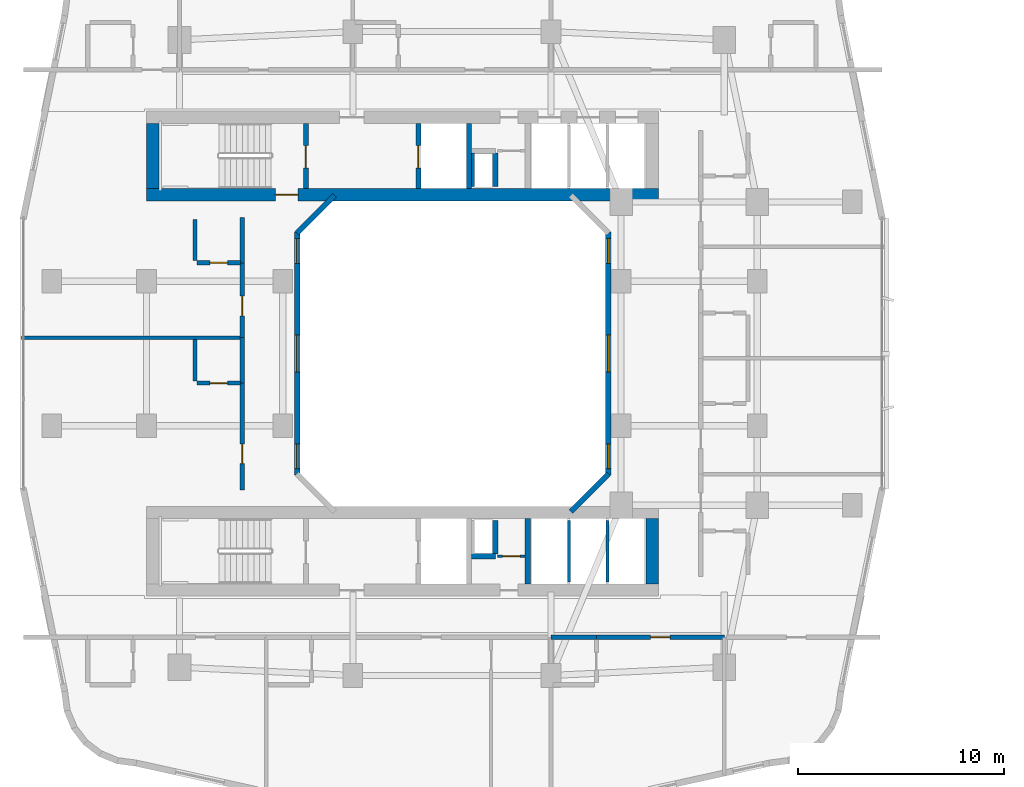
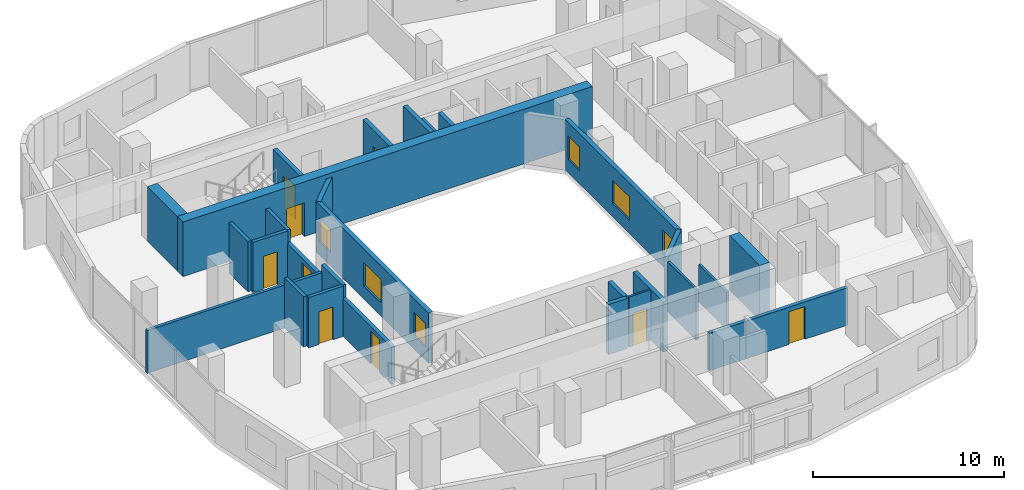
# One storey, part 14 of 27: 29 walls, 9 doors, 6 windows, 15 openings.
"""IFC4 building model written with IfcOpenShell, lengths in metres."""

from ifc_helpers import new_model, si_unit, derived_unit, direction, frame, frame_2d, origin, place, context, subcontext, project, spatial, rectangle, extrude, material, layer, layer_set, type_object, element, fill, save


model = new_model("IFC4")

# Units and contexts
model_context = context("Model", 3, precision=1e-05, world=origin(), true_north=direction((0.0, 1.0)))
body_context = subcontext(model_context, "Body", "Model", "MODEL_VIEW")
ifc_project = project(units=[si_unit("LENGTHUNIT", "METRE"), si_unit("AREAUNIT", "SQUARE_METRE"), si_unit("VOLUMEUNIT", "CUBIC_METRE"), si_unit("PLANEANGLEUNIT", "RADIAN"), si_unit("MASSUNIT", "GRAM", prefix="KILO"), derived_unit("THERMALTRANSMITTANCEUNIT", [(si_unit("POWERUNIT", "WATT"), 1), (si_unit("LENGTHUNIT", "METRE"), -2), (si_unit("THERMODYNAMICTEMPERATUREUNIT", "KELVIN"), -1)])], contexts=[model_context])

# Site, building, storey
site_placement = place(None, origin())
site = spatial("IfcSite", under=ifc_project, at=site_placement, CompositionType="ELEMENT")
building_placement = place(site_placement, origin())
building = spatial("IfcBuilding", under=site, at=building_placement, Name="Kivonza Crest Hotel", CompositionType="ELEMENT")
storey_placement = place(building_placement, frame((0.0, 0.0, 38.0)))
storey = spatial("IfcBuildingStorey", under=building, at=storey_placement, Name="L09", CompositionType="ELEMENT", Elevation=38.0)

# Walls
ifc_material_1 = material(Name="High-density acoustic masonry inter-tenancy wall", Category="masonry")
ifc_layer_1 = layer(ifc_material_1, 0.179931640625)
ifc_layer_set_1 = layer_set([ifc_layer_1], Name="High-density acoustic masonry inter-tenancy wall")
wall_type_1 = type_object("IfcWallType", Name="WL-ACOU-180", PredefinedType="SOLIDWALL", material=ifc_layer_set_1)
wall_1_placement = place(storey_placement, frame((0.139892578125, 25.77001953125, 0.0), z_axis=(0.0, 0.0, 1.0), x_axis=(1.0, 0.0, 0.0)))
element("IfcWall", 1, at=wall_1_placement, inside=storey, type_object=wall_type_1, Name="L09 interior partition WA-L09-T1W-DIV1", PredefinedType="SOLIDWALL", context=body_context, shape_type="SweptSolid", body=[
    extrude(rectangle(XDim=10.710205078125, YDim=0.179931640625, at=frame_2d((5.35498046875, 0.0))), origin(), (0.0, 0.0, 1.0), 2.7451171875),
])
ifc_material_2 = material(Name="Autoclaved aerated concrete blockwork", Category="masonry")
ifc_layer_2 = layer(ifc_material_2, 0.219970703125)
ifc_layer_set_2 = layer_set([ifc_layer_2], Name="Autoclaved aerated concrete blockwork")
wall_type_2 = type_object("IfcWallType", Name="WL-ACOU-220", PredefinedType="SOLIDWALL", material=ifc_layer_set_2)
wall_2_placement = place(storey_placement, frame((25.800048828125, 11.25, 0.0), z_axis=(0.0, 0.0, 1.0), x_axis=(1.0, 0.0, 0.0)))
element("IfcWall", 2, at=wall_2_placement, inside=storey, type_object=wall_type_2, Name="L09 interior partition WA-L09-S06-BCORR", PredefinedType="SOLIDWALL", context=body_context, shape_type="SweptSolid", body=[
    extrude(rectangle(XDim=2.199951171875, YDim=0.219970703125, at=frame_2d((1.10009765625, 0.0))), origin(), (0.0, 0.0, 1.0), 2.39501953125),
])

# Wall, opening, door
wall_3_placement = place(storey_placement, frame((28.0, 11.25, 0.0), z_axis=(0.0, 0.0, 1.0), x_axis=(1.0, 0.0, 0.0)))
wall_3 = element("IfcWall", 3, at=wall_3_placement, inside=storey, type_object=wall_type_2, Name="L09 interior partition WA-L09-S06-MCORR", PredefinedType="SOLIDWALL", context=body_context, shape_type="SweptSolid", body=[
    extrude(rectangle(XDim=6.199951171875, YDim=0.219970703125, at=frame_2d((3.10009765625, 0.0))), origin(), (0.0, 0.0, 1.0), 2.39501953125),
])
opening_1_placement = place(wall_3_placement, frame((2.625, 0.0, 0.0)))
opening_1 = element("IfcOpeningElement", 4, at=opening_1_placement, cuts=wall_3, Name="Opening DU-60", PredefinedType="OPENING", context=body_context, shape_type="SweptSolid", body=[
    extrude(rectangle(XDim=0.949951171875, YDim=2.10009765625, at=frame_2d((0.47509765625, 1.050048828125))), frame((0.0, 0.1201171875, 0.0), z_axis=(0.0, -1.0, 0.0), x_axis=(1.0, 0.0, 0.0)), (0.0, 0.0, 1.0), 0.239990234375),
])
ifc_material_3 = material(Name="Hardwood timber oak", Category="wood")
door_type_1 = type_object("IfcDoorType", Name="DR-UNIT-950", OperationType="NOTDEFINED", PredefinedType="DOOR", material=ifc_material_3)
door_1_placement = place(opening_1_placement, frame((0.949951171875, 0.0, 0.0), z_axis=(0.0, 0.0, 1.0), x_axis=(-1.0, 0.0, 0.0)))
door_1 = element("IfcDoor", 5, at=door_1_placement, inside=storey, type_object=door_type_1, Name="L09 S06 guest unit entrance fire door", OperationType="SINGLE_SWING_RIGHT", OverallHeight=2.10009765625, OverallWidth=0.949951171875, PredefinedType="DOOR", context=body_context, shape_type="SweptSolid", body=[
    extrude(rectangle(XDim=0.949951171875, YDim=2.10009765625, at=frame_2d((0.47509765625, 1.050048828125))), frame((0.0, 0.02490234375, 0.0), z_axis=(0.0, -1.0, 0.0), x_axis=(1.0, 0.0, 0.0)), (0.0, 0.0, 1.0), 0.050048828125),
])
fill(opening_1, door_1)

# Wall
wall_4_placement = place(storey_placement, frame((10.85009765625, 23.570068359375, 0.0), z_axis=(0.0, 0.0, 1.0), x_axis=(0.0, 1.0, 0.0)))
element("IfcWall", 6, at=wall_4_placement, inside=storey, type_object=wall_type_2, Name="L09 interior partition WA-L09-W07-BCORR", PredefinedType="SOLIDWALL", context=body_context, shape_type="SweptSolid", body=[
    extrude(rectangle(XDim=2.199951171875, YDim=0.219970703125, at=frame_2d((1.10009765625, 0.0))), origin(), (0.0, 0.0, 1.0), 3.219970703125),
])

# Wall, opening, door
wall_5_placement = place(storey_placement, frame((10.85009765625, 18.39990234375, 0.0), z_axis=(0.0, 0.0, 1.0), x_axis=(0.0, 1.0, 0.0)))
wall_5 = element("IfcWall", 7, at=wall_5_placement, inside=storey, type_object=wall_type_2, Name="L09 interior partition WA-L09-W07-MCORR", PredefinedType="SOLIDWALL", context=body_context, shape_type="SweptSolid", body=[
    extrude(rectangle(XDim=5.170166015625, YDim=0.219970703125, at=frame_2d((2.5849609375, 0.0))), origin(), (0.0, 0.0, 1.0), 2.39501953125),
])
opening_2_placement = place(wall_5_placement, frame((1.260009765625, 0.0, 0.0)))
opening_2 = element("IfcOpeningElement", 8, at=opening_2_placement, cuts=wall_5, Name="Opening DU-60", PredefinedType="OPENING", context=body_context, shape_type="SweptSolid", body=[
    extrude(rectangle(XDim=0.949951171875, YDim=2.10009765625, at=frame_2d((0.47509765625, 1.050048828125))), frame((0.0, 0.1201171875, 0.0), z_axis=(0.0, -1.0, 0.0), x_axis=(1.0, 0.0, 0.0)), (0.0, 0.0, 1.0), 0.239990234375),
])
door_2_placement = place(opening_2_placement, origin())
door_2 = element("IfcDoor", 9, at=door_2_placement, inside=storey, type_object=door_type_1, Name="L09 W07 guest unit entrance fire door", OperationType="SINGLE_SWING_LEFT", OverallHeight=2.10009765625, OverallWidth=0.949951171875, PredefinedType="DOOR", context=body_context, shape_type="SweptSolid", body=[
    extrude(rectangle(XDim=0.949951171875, YDim=2.10009765625, at=frame_2d((0.47509765625, 1.050048828125))), frame((0.0, 0.02490234375, 0.0), z_axis=(0.0, -1.0, 0.0), x_axis=(1.0, 0.0, 0.0)), (0.0, 0.0, 1.0), 0.050048828125),
])
fill(opening_2, door_2)

# Wall
wall_6_placement = place(storey_placement, frame((10.85009765625, 29.39990234375, 0.0), z_axis=(0.0, 0.0, 1.0), x_axis=(0.0, 1.0, 0.0)))
element("IfcWall", 10, at=wall_6_placement, inside=storey, type_object=wall_type_2, Name="L09 interior partition WA-L09-W08-BCORR", PredefinedType="SOLIDWALL", context=body_context, shape_type="SweptSolid", body=[
    extrude(rectangle(XDim=2.2001953125, YDim=0.219970703125, at=frame_2d((1.10009765625, 0.0))), origin(), (0.0, 0.0, 1.0), 3.219970703125),
])

# Wall, opening, door
wall_7_placement = place(storey_placement, frame((10.85009765625, 25.77001953125, 0.0), z_axis=(0.0, 0.0, 1.0), x_axis=(0.0, 1.0, 0.0)))
wall_7 = element("IfcWall", 11, at=wall_7_placement, inside=storey, type_object=wall_type_2, Name="L09 interior partition WA-L09-W08-MCORR", PredefinedType="SOLIDWALL", context=body_context, shape_type="SweptSolid", body=[
    extrude(rectangle(XDim=3.6298828125, YDim=0.219970703125, at=frame_2d((1.81494140625, 0.0))), origin(), (0.0, 0.0, 1.0), 2.39501953125),
])
opening_3_placement = place(wall_7_placement, frame((1.06005859375, 0.0, 0.0)))
opening_3 = element("IfcOpeningElement", 12, at=opening_3_placement, cuts=wall_7, Name="Opening DU-60", PredefinedType="OPENING", context=body_context, shape_type="SweptSolid", body=[
    extrude(rectangle(XDim=0.949951171875, YDim=2.10009765625, at=frame_2d((0.47509765625, 1.050048828125))), frame((0.0, 0.1201171875, 0.0), z_axis=(0.0, -1.0, 0.0), x_axis=(1.0, 0.0, 0.0)), (0.0, 0.0, 1.0), 0.239990234375),
])
door_3_placement = place(opening_3_placement, origin())
door_3 = element("IfcDoor", 13, at=door_3_placement, inside=storey, type_object=door_type_1, Name="L09 W08 guest unit entrance fire door", OperationType="SINGLE_SWING_RIGHT", OverallHeight=2.10009765625, OverallWidth=0.949951171875, PredefinedType="DOOR", context=body_context, shape_type="SweptSolid", body=[
    extrude(rectangle(XDim=0.949951171875, YDim=2.10009765625, at=frame_2d((0.47509765625, 1.050048828125))), frame((0.0, 0.02490234375, 0.0), z_axis=(0.0, -1.0, 0.0), x_axis=(1.0, 0.0, 0.0)), (0.0, 0.0, 1.0), 0.050048828125),
])
fill(opening_3, door_3)

ifc_material_4 = material(Name="Concrete C60/75", Category="concrete")
ifc_layer_3 = layer(ifc_material_4, 0.60009765625)
ifc_layer_set_3 = layer_set([ifc_layer_3], Name="Concrete C60/75")
wall_type_3 = type_object("IfcWallType", Name="WL-CORE-600", PredefinedType="SHEAR", material=ifc_layer_set_3)
wall_8_placement = place(storey_placement, frame((6.199951171875, 32.699951171875, 0.0), z_axis=(0.0, 0.0, 1.0), x_axis=(1.0, 0.0, 0.0)))
wall_8 = element("IfcWall", 14, at=wall_8_placement, inside=storey, type_object=wall_type_3, Name="Core wall T1-N South L09", PredefinedType="SHEAR", context=body_context, shape_type="SweptSolid", body=[
    extrude(rectangle(XDim=24.800048828125, YDim=0.60009765625, at=frame_2d((12.39990234375, 0.0))), origin(), (0.0, 0.0, 1.0), 3.5),
])
opening_4_placement = place(wall_8_placement, frame((6.25, 0.0, 0.0)))
opening_4 = element("IfcOpeningElement", 15, at=opening_4_placement, cuts=wall_8, Name="Opening DF-120", PredefinedType="OPENING", context=body_context, shape_type="SweptSolid", body=[
    extrude(rectangle(XDim=1.10009765625, YDim=2.14990234375, at=frame_2d((0.550048828125, 1.074951171875))), frame((0.0, 0.31005859375, 0.0), z_axis=(0.0, -1.0, 0.0), x_axis=(1.0, 0.0, 0.0)), (0.0, 0.0, 1.0), 0.6201171875),
])
ifc_material_5 = material(Name="Galvanised steel", Category="steel")
door_type_2 = type_object("IfcDoorType", Name="DR-FD120-1100", OperationType="NOTDEFINED", PredefinedType="DOOR", material=ifc_material_5)
door_4_placement = place(opening_4_placement, origin())
door_4 = element("IfcDoor", 16, at=door_4_placement, inside=storey, type_object=door_type_2, Name="L09 West corridor stair access fire door", OperationType="SINGLE_SWING_LEFT", OverallHeight=2.14990234375, OverallWidth=1.10009765625, PredefinedType="DOOR", context=body_context, shape_type="SweptSolid", body=[
    extrude(rectangle(XDim=1.10009765625, YDim=2.14990234375, at=frame_2d((0.550048828125, 1.074951171875))), frame((0.0, 0.02490234375, 0.0), z_axis=(0.0, -1.0, 0.0), x_axis=(1.0, 0.0, 0.0)), (0.0, 0.0, 1.0), 0.050048828125),
])
fill(opening_4, door_4)

# Walls
for number, where, z_axis, x_axis, name in (
    (17, (6.5, 33.0, 0.0), (0.0, 0.0, 1.0), (0.0, 1.0, 0.0), "Core wall T1-N West L09"),
    (18, (30.699951171875, 13.840087890625, 0.0), (0.0, 0.0, 1.0), (0.0, 1.0, 0.0), "Core wall T1-S East L09"),
):
    element("IfcWall", number, at=place(storey_placement, frame(where, z_axis=z_axis, x_axis=x_axis)), inside=storey, type_object=wall_type_3, Name=name, PredefinedType="SHEAR", context=body_context, shape_type="SweptSolid", body=[
        extrude(rectangle(XDim=3.159912109375, YDim=0.60009765625, at=frame_2d((1.580078125, 0.0))), origin(), (0.0, 0.0, 1.0), 3.5),
    ])
ifc_material_6 = material(Name="Precast concrete C40/50", Category="concrete")
ifc_layer_4 = layer(ifc_material_6, 0.260009765625)
ifc_layer_set_4 = layer_set([ifc_layer_4], Name="Precast concrete C40/50")
wall_type_4 = type_object("IfcWallType", Name="WL-EXT-260", PredefinedType="STANDARD", material=ifc_layer_set_4)
wall_9_placement = place(storey_placement, frame((26.761962890625, 17.337890625, 0.0), z_axis=(0.0, 0.0, 1.0), x_axis=(0.707059717605, 0.707153841636, 0.0)))
element("IfcWall", 19, at=wall_9_placement, inside=storey, type_object=wall_type_4, Name="L09 T1 light-well exterior wall 2", PredefinedType="STANDARD", context=body_context, shape_type="SweptSolid", body=[
    extrude(rectangle(XDim=2.59375, YDim=0.260009765625, at=frame_2d((1.296875, 0.0))), origin(), (0.0, 0.0, 1.0), 3.219970703125),
])

# Wall, openings, windows
wall_10_placement = place(storey_placement, frame((28.570068359375, 19.110107421875, 0.0), z_axis=(0.0, 0.0, 1.0), x_axis=(0.0, 1.0, 0.0)))
wall_10 = element("IfcWall", 20, at=wall_10_placement, inside=storey, type_object=wall_type_4, Name="L09 T1 light-well exterior wall 3", PredefinedType="STANDARD", context=body_context, shape_type="SweptSolid", body=[
    extrude(rectangle(XDim=11.77978515625, YDim=0.260009765625, at=frame_2d((5.889892578125, 0.0))), origin(), (0.0, 0.0, 1.0), 3.219970703125),
])
opening_5_placement = place(wall_10_placement, frame((0.318115234375, 0.0, 0.85009765625)))
opening_5 = element("IfcOpeningElement", 21, at=opening_5_placement, cuts=wall_10, Name="Opening WN-01", PredefinedType="OPENING", context=body_context, shape_type="SweptSolid", body=[
    extrude(rectangle(XDim=1.199951171875, YDim=1.5, at=frame_2d((0.60009765625, 0.75))), frame((0.0, 0.14013671875, 0.0), z_axis=(0.0, -1.0, 0.0), x_axis=(1.0, 0.0, 0.0)), (0.0, 0.0, 1.0), 0.280029296875),
])
opening_6_placement = place(wall_10_placement, frame((4.989990234375, 0.0, 0.85009765625)))
opening_6 = element("IfcOpeningElement", 22, at=opening_6_placement, cuts=wall_10, Name="Opening WN-03", PredefinedType="OPENING", context=body_context, shape_type="SweptSolid", body=[
    extrude(rectangle(XDim=1.800048828125, YDim=1.5, at=frame_2d((0.89990234375, 0.75))), frame((0.0, 0.14013671875, 0.0), z_axis=(0.0, -1.0, 0.0), x_axis=(1.0, 0.0, 0.0)), (0.0, 0.0, 1.0), 0.280029296875),
])
opening_7_placement = place(wall_10_placement, frame((10.262939453125, 0.0, 0.85009765625)))
opening_7 = element("IfcOpeningElement", 23, at=opening_7_placement, cuts=wall_10, Name="Opening WN-01", PredefinedType="OPENING", context=body_context, shape_type="SweptSolid", body=[
    extrude(rectangle(XDim=1.199951171875, YDim=1.5, at=frame_2d((0.60009765625, 0.75))), frame((0.0, 0.14013671875, 0.0), z_axis=(0.0, -1.0, 0.0), x_axis=(1.0, 0.0, 0.0)), (0.0, 0.0, 1.0), 0.280029296875),
])
ifc_material_7 = material(Name="Thermally broken bronze aluminium and low-E double glazing", Category="aluminium")
window_type_1 = type_object("IfcWindowType", Name="WN-120x150", PartitioningType="SINGLE_PANEL", PredefinedType="WINDOW", material=ifc_material_7)
window_1_placement = place(opening_5_placement, origin())
window_1 = element("IfcWindow", 24, at=window_1_placement, inside=storey, type_object=window_type_1, Name="L09 T1 light-well window 3 bay 1", OverallHeight=1.5, OverallWidth=1.199951171875, PartitioningType="SINGLE_PANEL", PredefinedType="WINDOW", context=body_context, shape_type="SweptSolid", body=[
    extrude(rectangle(XDim=1.199951171875, YDim=1.5, at=frame_2d((0.60009765625, 0.75))), frame((0.0, 0.030029296875, 0.0), z_axis=(0.0, -1.0, 0.0), x_axis=(1.0, 0.0, 0.0)), (0.0, 0.0, 1.0), 0.06005859375),
])
fill(opening_5, window_1)
window_2_placement = place(opening_7_placement, origin())
window_2 = element("IfcWindow", 25, at=window_2_placement, inside=storey, type_object=window_type_1, Name="L09 T1 light-well window 3 bay 3", OverallHeight=1.5, OverallWidth=1.199951171875, PartitioningType="SINGLE_PANEL", PredefinedType="WINDOW", context=body_context, shape_type="SweptSolid", body=[
    extrude(rectangle(XDim=1.199951171875, YDim=1.5, at=frame_2d((0.60009765625, 0.75))), frame((0.0, 0.030029296875, 0.0), z_axis=(0.0, -1.0, 0.0), x_axis=(1.0, 0.0, 0.0)), (0.0, 0.0, 1.0), 0.06005859375),
])
fill(opening_7, window_2)
window_type_2 = type_object("IfcWindowType", Name="WN-180x150", PartitioningType="DOUBLE_PANEL_VERTICAL", PredefinedType="WINDOW", material=ifc_material_7)
window_3_placement = place(opening_6_placement, origin())
window_3 = element("IfcWindow", 26, at=window_3_placement, inside=storey, type_object=window_type_2, Name="L09 T1 light-well window 3 bay 2", OverallHeight=1.5, OverallWidth=1.800048828125, PartitioningType="SINGLE_PANEL", PredefinedType="WINDOW", context=body_context, shape_type="SweptSolid", body=[
    extrude(rectangle(XDim=1.800048828125, YDim=1.5, at=frame_2d((0.89990234375, 0.75))), frame((0.0, 0.030029296875, 0.0), z_axis=(0.0, -1.0, 0.0), x_axis=(1.0, 0.0, 0.0)), (0.0, 0.0, 1.0), 0.06005859375),
])
fill(opening_6, window_3)

# Wall
wall_11_placement = place(storey_placement, frame((15.318115234375, 32.662109375, 0.0), z_axis=(0.0, 0.0, 1.0), x_axis=(-0.707106781187, -0.707106781187, 0.0)))
element("IfcWall", 27, at=wall_11_placement, inside=storey, type_object=wall_type_4, Name="L09 T1 light-well exterior wall 6", PredefinedType="STANDARD", context=body_context, shape_type="SweptSolid", body=[
    extrude(rectangle(XDim=2.593994140625, YDim=0.260009765625, at=frame_2d((1.296875, 0.0))), origin(), (0.0, 0.0, 1.0), 3.219970703125),
])

# Wall, openings, windows
wall_12_placement = place(storey_placement, frame((13.510009765625, 30.889892578125, 0.0), z_axis=(0.0, 0.0, 1.0), x_axis=(0.0, -1.0, 0.0)))
wall_12 = element("IfcWall", 28, at=wall_12_placement, inside=storey, type_object=wall_type_4, Name="L09 T1 light-well exterior wall 7", PredefinedType="STANDARD", context=body_context, shape_type="SweptSolid", body=[
    extrude(rectangle(XDim=11.77978515625, YDim=0.260009765625, at=frame_2d((5.889892578125, 0.0))), origin(), (0.0, 0.0, 1.0), 3.219970703125),
])
opening_8_placement = place(wall_12_placement, frame((0.318115234375, 0.0, 0.85009765625)))
opening_8 = element("IfcOpeningElement", 29, at=opening_8_placement, cuts=wall_12, Name="Opening WN-01", PredefinedType="OPENING", context=body_context, shape_type="SweptSolid", body=[
    extrude(rectangle(XDim=1.199951171875, YDim=1.5, at=frame_2d((0.60009765625, 0.75))), frame((0.0, 0.14013671875, 0.0), z_axis=(0.0, -1.0, 0.0), x_axis=(1.0, 0.0, 0.0)), (0.0, 0.0, 1.0), 0.280029296875),
])
opening_9_placement = place(wall_12_placement, frame((4.989990234375, 0.0, 0.85009765625)))
opening_9 = element("IfcOpeningElement", 30, at=opening_9_placement, cuts=wall_12, Name="Opening WN-03", PredefinedType="OPENING", context=body_context, shape_type="SweptSolid", body=[
    extrude(rectangle(XDim=1.800048828125, YDim=1.5, at=frame_2d((0.89990234375, 0.75))), frame((0.0, 0.14013671875, 0.0), z_axis=(0.0, -1.0, 0.0), x_axis=(1.0, 0.0, 0.0)), (0.0, 0.0, 1.0), 0.280029296875),
])
opening_10_placement = place(wall_12_placement, frame((10.262939453125, 0.0, 0.85009765625)))
opening_10 = element("IfcOpeningElement", 31, at=opening_10_placement, cuts=wall_12, Name="Opening WN-01", PredefinedType="OPENING", context=body_context, shape_type="SweptSolid", body=[
    extrude(rectangle(XDim=1.199951171875, YDim=1.5, at=frame_2d((0.60009765625, 0.75))), frame((0.0, 0.14013671875, 0.0), z_axis=(0.0, -1.0, 0.0), x_axis=(1.0, 0.0, 0.0)), (0.0, 0.0, 1.0), 0.280029296875),
])
window_4_placement = place(opening_8_placement, origin())
window_4 = element("IfcWindow", 32, at=window_4_placement, inside=storey, type_object=window_type_1, Name="L09 T1 light-well window 7 bay 1", OverallHeight=1.5, OverallWidth=1.199951171875, PartitioningType="SINGLE_PANEL", PredefinedType="WINDOW", context=body_context, shape_type="SweptSolid", body=[
    extrude(rectangle(XDim=1.199951171875, YDim=1.5, at=frame_2d((0.60009765625, 0.75))), frame((0.0, 0.030029296875, 0.0), z_axis=(0.0, -1.0, 0.0), x_axis=(1.0, 0.0, 0.0)), (0.0, 0.0, 1.0), 0.06005859375),
])
fill(opening_8, window_4)
window_5_placement = place(opening_10_placement, origin())
window_5 = element("IfcWindow", 33, at=window_5_placement, inside=storey, type_object=window_type_1, Name="L09 T1 light-well window 7 bay 3", OverallHeight=1.5, OverallWidth=1.199951171875, PartitioningType="SINGLE_PANEL", PredefinedType="WINDOW", context=body_context, shape_type="SweptSolid", body=[
    extrude(rectangle(XDim=1.199951171875, YDim=1.5, at=frame_2d((0.60009765625, 0.75))), frame((0.0, 0.030029296875, 0.0), z_axis=(0.0, -1.0, 0.0), x_axis=(1.0, 0.0, 0.0)), (0.0, 0.0, 1.0), 0.06005859375),
])
fill(opening_10, window_5)
window_6_placement = place(opening_9_placement, origin())
window_6 = element("IfcWindow", 34, at=window_6_placement, inside=storey, type_object=window_type_2, Name="L09 T1 light-well window 7 bay 2", OverallHeight=1.5, OverallWidth=1.800048828125, PartitioningType="SINGLE_PANEL", PredefinedType="WINDOW", context=body_context, shape_type="SweptSolid", body=[
    extrude(rectangle(XDim=1.800048828125, YDim=1.5, at=frame_2d((0.89990234375, 0.75))), frame((0.0, 0.030029296875, 0.0), z_axis=(0.0, -1.0, 0.0), x_axis=(1.0, 0.0, 0.0)), (0.0, 0.0, 1.0), 0.06005859375),
])
fill(opening_9, window_6)

# Walls
ifc_material_8 = material(Name="Concrete blockwork fire-compartment wall", Category="masonry")
ifc_layer_5 = layer(ifc_material_8, 0.25)
ifc_layer_set_5 = layer_set([ifc_layer_5], Name="Concrete blockwork fire-compartment wall")
wall_type_5 = type_object("IfcWallType", Name="WL-FIRE-250", PredefinedType="SOLIDWALL", material=ifc_layer_set_5)
for number, where, z_axis, x_axis, name in (
    (35, (23.10009765625, 33.10009765625, 0.0), (0.0, 0.0, 1.0), (0.0, 1.0, 0.0), "L09 interior partition WA-L09-T1-N-MEPR-E"),
    (36, (23.10009765625, 15.280029296875, 0.0), (0.0, 0.0, 1.0), (0.0, 1.0, 0.0), "L09 interior partition WA-L09-T1-S-MEPR-E"),
):
    element("IfcWall", number, at=place(storey_placement, frame(where, z_axis=z_axis, x_axis=x_axis)), inside=storey, type_object=wall_type_5, Name=name, PredefinedType="SOLIDWALL", context=body_context, shape_type="SweptSolid", body=[
        extrude(rectangle(XDim=1.619873046875, YDim=0.25, at=frame_2d((0.81005859375, 0.0))), origin(), (0.0, 0.0, 1.0), 3.219970703125),
    ])
wall_13_placement = place(storey_placement, frame((21.949951171875, 15.179931640625, 0.0), z_axis=(0.0, 0.0, 1.0), x_axis=(1.0, 0.0, 0.0)))
element("IfcWall", 37, at=wall_13_placement, inside=storey, type_object=wall_type_5, Name="L09 interior partition WA-L09-T1-S-MEPR-H", PredefinedType="SOLIDWALL", context=body_context, shape_type="SweptSolid", body=[
    extrude(rectangle(XDim=1.150146484375, YDim=0.25, at=frame_2d((0.5751953125, 0.0))), origin(), (0.0, 0.0, 1.0), 3.219970703125),
])

# Wall, opening, door
ifc_material_9 = material(Name="Metal-stud gypsum board partition", Category="gypsum")
ifc_layer_6 = layer(ifc_material_9, 0.125)
ifc_layer_set_6 = layer_set([ifc_layer_6], Name="Metal-stud gypsum board partition")
wall_type_6 = type_object("IfcWallType", Name="WL-PART-125", PredefinedType="PARTITIONING", material=ifc_layer_set_6)
wall_14_placement = place(storey_placement, frame((23.219970703125, 15.179931640625, 0.0), z_axis=(0.0, 0.0, 1.0), x_axis=(1.0, 0.0, 0.0)))
wall_14 = element("IfcWall", 38, at=wall_14_placement, inside=storey, type_object=wall_type_6, Name="L09 interior partition WP-L09-T1-S-SV3H", PredefinedType="PARTITIONING", context=body_context, shape_type="SweptSolid", body=[
    extrude(rectangle(XDim=1.330078125, YDim=0.125, at=frame_2d((0.6650390625, 0.0))), origin(), (0.0, 0.0, 1.0), 3.219970703125),
])
opening_11_placement = place(wall_14_placement, frame((0.239990234375, 0.0, 0.0)))
opening_11 = element("IfcOpeningElement", 39, at=opening_11_placement, cuts=wall_14, Name="Opening DI-85", PredefinedType="OPENING", context=body_context, shape_type="SweptSolid", body=[
    extrude(rectangle(XDim=0.85009765625, YDim=2.10009765625, at=frame_2d((0.425048828125, 1.050048828125))), frame((0.0, 0.072509765625, 0.0), z_axis=(0.0, -1.0, 0.0), x_axis=(1.0, 0.0, 0.0)), (0.0, 0.0, 1.0), 0.14501953125),
])
door_type_3 = type_object("IfcDoorType", Name="DR-INT-850", OperationType="NOTDEFINED", PredefinedType="DOOR", material=ifc_material_3)
door_5_placement = place(opening_11_placement, origin())
door_5 = element("IfcDoor", 40, at=door_5_placement, inside=storey, type_object=door_type_3, Name="L09 T1-S inner manifold door", OperationType="SINGLE_SWING_LEFT", OverallHeight=2.10009765625, OverallWidth=0.85009765625, PredefinedType="DOOR", context=body_context, shape_type="SweptSolid", body=[
    extrude(rectangle(XDim=0.85009765625, YDim=2.10009765625, at=frame_2d((0.425048828125, 1.050048828125))), frame((0.0, 0.02490234375, 0.0), z_axis=(0.0, -1.0, 0.0), x_axis=(1.0, 0.0, 0.0)), (0.0, 0.0, 1.0), 0.050048828125),
])
fill(opening_11, door_5)

# Walls
ifc_material_10 = material(Name="Twin-stud acoustic gypsum board partition", Category="gypsum")
ifc_layer_7 = layer(ifc_material_10, 0.14990234375)
ifc_layer_set_7 = layer_set([ifc_layer_7], Name="Twin-stud acoustic gypsum board partition")
wall_type_7 = type_object("IfcWallType", Name="WL-PART-150", PredefinedType="PARTITIONING", material=ifc_layer_set_7)
wall_15_placement = place(storey_placement, frame((22.030029296875, 33.10009765625, 0.0), z_axis=(0.0, 0.0, 1.0), x_axis=(0.0, 1.0, 0.0)))
element("IfcWall", 41, at=wall_15_placement, inside=storey, type_object=wall_type_7, Name="L09 interior partition WA-L09-T1-N-MEPR-W", PredefinedType="PARTITIONING", context=body_context, shape_type="SweptSolid", body=[
    extrude(rectangle(XDim=1.619873046875, YDim=0.14990234375, at=frame_2d((0.81005859375, 0.0))), origin(), (0.0, 0.0, 1.0), 3.219970703125),
])
wall_16_placement = place(storey_placement, frame((26.6669921875, 13.93994140625, 0.0), z_axis=(0.0, 0.0, 1.0), x_axis=(0.0, 1.0, 0.0)))
element("IfcWall", 42, at=wall_16_placement, inside=storey, type_object=wall_type_7, Name="L09 interior partition WP-L09-T1-S-BSH-1", PredefinedType="PARTITIONING", context=body_context, shape_type="SweptSolid", body=[
    extrude(rectangle(XDim=2.9599609375, YDim=0.14990234375, at=frame_2d((1.47998046875, 0.0))), origin(), (0.0, 0.0, 1.0), 3.219970703125),
])
wall_17_placement = place(storey_placement, frame((28.532958984375, 13.93994140625, 0.0), z_axis=(0.0, 0.0, 1.0), x_axis=(0.0, 1.0, 0.0)))
element("IfcWall", 43, at=wall_17_placement, inside=storey, type_object=wall_type_7, Name="L09 interior partition WP-L09-T1-S-BSH-2", PredefinedType="PARTITIONING", context=body_context, shape_type="SweptSolid", body=[
    extrude(rectangle(XDim=2.9599609375, YDim=0.14990234375, at=frame_2d((1.47998046875, 0.0))), origin(), (0.0, 0.0, 1.0), 2.39501953125),
])

# Wall, opening, door
ifc_material_11 = material(Name="Moisture-resistant plumbing chase partition wall", Category="gypsum")
ifc_layer_8 = layer(ifc_material_11, 0.199951171875)
ifc_layer_set_8 = layer_set([ifc_layer_8], Name="Moisture-resistant plumbing chase partition wall")
wall_type_8 = type_object("IfcWallType", Name="WL-PLUMB-200", PredefinedType="PLUMBINGWALL", material=ifc_layer_set_8)
wall_18_placement = place(storey_placement, frame((8.64990234375, 23.570068359375, 0.0), z_axis=(0.0, 0.0, 1.0), x_axis=(1.0, 0.0, 0.0)))
wall_18 = element("IfcWall", 44, at=wall_18_placement, inside=storey, type_object=wall_type_8, Name="L09 interior partition WW-L09-W07-BH", PredefinedType="PLUMBINGWALL", context=body_context, shape_type="SweptSolid", body=[
    extrude(rectangle(XDim=2.10009765625, YDim=0.199951171875, at=frame_2d((1.050048828125, 0.0))), origin(), (0.0, 0.0, 1.0), 3.219970703125),
])
opening_12_placement = place(wall_18_placement, frame((0.625, 0.0, 0.0)))
opening_12 = element("IfcOpeningElement", 45, at=opening_12_placement, cuts=wall_18, Name="Opening DI-85", PredefinedType="OPENING", context=body_context, shape_type="SweptSolid", body=[
    extrude(rectangle(XDim=0.85009765625, YDim=2.10009765625, at=frame_2d((0.425048828125, 1.050048828125))), frame((0.0, 0.10986328125, 0.0), z_axis=(0.0, -1.0, 0.0), x_axis=(1.0, 0.0, 0.0)), (0.0, 0.0, 1.0), 0.219970703125),
])
door_6_placement = place(opening_12_placement, frame((0.85009765625, 0.0, 0.0), z_axis=(0.0, 0.0, 1.0), x_axis=(-1.0, 0.0, 0.0)))
door_6 = element("IfcDoor", 46, at=door_6_placement, inside=storey, type_object=door_type_3, Name="L09 W07 en-suite bathroom door", OperationType="SINGLE_SWING_RIGHT", OverallHeight=2.10009765625, OverallWidth=0.85009765625, PredefinedType="DOOR", context=body_context, shape_type="SweptSolid", body=[
    extrude(rectangle(XDim=0.85009765625, YDim=2.10009765625, at=frame_2d((0.425048828125, 1.050048828125))), frame((0.0, 0.02490234375, 0.0), z_axis=(0.0, -1.0, 0.0), x_axis=(1.0, 0.0, 0.0)), (0.0, 0.0, 1.0), 0.050048828125),
])
fill(opening_12, door_6)

# Wall
wall_19_placement = place(storey_placement, frame((8.550048828125, 23.669921875, 0.0), z_axis=(0.0, 0.0, 1.0), x_axis=(0.0, 1.0, 0.0)))
element("IfcWall", 47, at=wall_19_placement, inside=storey, type_object=wall_type_8, Name="L09 interior partition WW-L09-W07-BV", PredefinedType="PLUMBINGWALL", context=body_context, shape_type="SweptSolid", body=[
    extrude(rectangle(XDim=2.0, YDim=0.199951171875, at=frame_2d((1.0, 0.0))), origin(), (0.0, 0.0, 1.0), 3.219970703125),
])

# Wall, opening, door
wall_20_placement = place(storey_placement, frame((8.64990234375, 29.39990234375, 0.0), z_axis=(0.0, 0.0, 1.0), x_axis=(1.0, 0.0, 0.0)))
wall_20 = element("IfcWall", 48, at=wall_20_placement, inside=storey, type_object=wall_type_8, Name="L09 interior partition WW-L09-W08-BH", PredefinedType="PLUMBINGWALL", context=body_context, shape_type="SweptSolid", body=[
    extrude(rectangle(XDim=2.10009765625, YDim=0.199951171875, at=frame_2d((1.050048828125, 0.0))), origin(), (0.0, 0.0, 1.0), 3.219970703125),
])
opening_13_placement = place(wall_20_placement, frame((0.625, 0.0, 0.0)))
opening_13 = element("IfcOpeningElement", 49, at=opening_13_placement, cuts=wall_20, Name="Opening DI-85", PredefinedType="OPENING", context=body_context, shape_type="SweptSolid", body=[
    extrude(rectangle(XDim=0.85009765625, YDim=2.10009765625, at=frame_2d((0.425048828125, 1.050048828125))), frame((0.0, 0.10986328125, 0.0), z_axis=(0.0, -1.0, 0.0), x_axis=(1.0, 0.0, 0.0)), (0.0, 0.0, 1.0), 0.219970703125),
])
door_7_placement = place(opening_13_placement, frame((0.85009765625, 0.0, 0.0), z_axis=(0.0, 0.0, 1.0), x_axis=(-1.0, 0.0, 0.0)))
door_7 = element("IfcDoor", 50, at=door_7_placement, inside=storey, type_object=door_type_3, Name="L09 W08 en-suite bathroom door", OperationType="SINGLE_SWING_LEFT", OverallHeight=2.10009765625, OverallWidth=0.85009765625, PredefinedType="DOOR", context=body_context, shape_type="SweptSolid", body=[
    extrude(rectangle(XDim=0.85009765625, YDim=2.10009765625, at=frame_2d((0.425048828125, 1.050048828125))), frame((0.0, 0.02490234375, 0.0), z_axis=(0.0, -1.0, 0.0), x_axis=(1.0, 0.0, 0.0)), (0.0, 0.0, 1.0), 0.050048828125),
])
fill(opening_13, door_7)

# Wall
wall_21_placement = place(storey_placement, frame((8.550048828125, 29.5, 0.0), z_axis=(0.0, 0.0, 1.0), x_axis=(0.0, 1.0, 0.0)))
element("IfcWall", 51, at=wall_21_placement, inside=storey, type_object=wall_type_8, Name="L09 interior partition WW-L09-W08-BV", PredefinedType="PLUMBINGWALL", context=body_context, shape_type="SweptSolid", body=[
    extrude(rectangle(XDim=2.0, YDim=0.199951171875, at=frame_2d((1.0, 0.0))), origin(), (0.0, 0.0, 1.0), 3.219970703125),
])

# Wall, opening, door
ifc_material_12 = material(Name="Concrete C50/60", Category="concrete")
ifc_layer_9 = layer(ifc_material_12, 0.25)
ifc_layer_set_9 = layer_set([ifc_layer_9], Name="Concrete C50/60")
wall_type_9 = type_object("IfcWallType", Name="WL-SHAFT-250", PredefinedType="STANDARD", material=ifc_layer_set_9)
wall_22_placement = place(storey_placement, frame((13.925048828125, 33.0, 0.0), z_axis=(0.0, 0.0, 1.0), x_axis=(0.0, 1.0, 0.0)))
wall_22 = element("IfcWall", 52, at=wall_22_placement, inside=storey, type_object=wall_type_9, Name="Core shaft wall T1-N STAIR L09", PredefinedType="STANDARD", context=body_context, shape_type="SweptSolid", body=[
    extrude(rectangle(XDim=3.159912109375, YDim=0.25, at=frame_2d((1.580078125, 0.0))), origin(), (0.0, 0.0, 1.0), 3.219970703125),
])
opening_14_placement = place(wall_22_placement, frame((0.97998046875, 0.0, 0.0)))
opening_14 = element("IfcOpeningElement", 53, at=opening_14_placement, cuts=wall_22, Name="Opening DF-120", PredefinedType="OPENING", context=body_context, shape_type="SweptSolid", body=[
    extrude(rectangle(XDim=1.10009765625, YDim=2.14990234375, at=frame_2d((0.550048828125, 1.074951171875))), frame((0.0, 0.135009765625, 0.0), z_axis=(0.0, -1.0, 0.0), x_axis=(1.0, 0.0, 0.0)), (0.0, 0.0, 1.0), 0.27001953125),
])
door_8_placement = place(opening_14_placement, frame((1.10009765625, 0.0, 0.0), z_axis=(0.0, 0.0, 1.0), x_axis=(-1.0, 0.0, 0.0)))
door_8 = element("IfcDoor", 54, at=door_8_placement, inside=storey, type_object=door_type_2, Name="L09 T1-N stair fire door", OperationType="SINGLE_SWING_LEFT", OverallHeight=2.14990234375, OverallWidth=1.10009765625, PredefinedType="DOOR", context=body_context, shape_type="SweptSolid", body=[
    extrude(rectangle(XDim=1.10009765625, YDim=2.14990234375, at=frame_2d((0.550048828125, 1.074951171875))), frame((0.0, 0.02490234375, 0.0), z_axis=(0.0, -1.0, 0.0), x_axis=(1.0, 0.0, 0.0)), (0.0, 0.0, 1.0), 0.050048828125),
])
fill(opening_14, door_8)

wall_23_placement = place(storey_placement, frame((19.375, 33.0, 0.0), z_axis=(0.0, 0.0, 1.0), x_axis=(0.0, 1.0, 0.0)))
wall_23 = element("IfcWall", 55, at=wall_23_placement, inside=storey, type_object=wall_type_9, Name="Core shaft wall T1-N FFL-W L09", PredefinedType="STANDARD", context=body_context, shape_type="SweptSolid", body=[
    extrude(rectangle(XDim=3.159912109375, YDim=0.25, at=frame_2d((1.580078125, 0.0))), origin(), (0.0, 0.0, 1.0), 3.219970703125),
])
opening_15_placement = place(wall_23_placement, frame((0.97998046875, 0.0, 0.0)))
opening_15 = element("IfcOpeningElement", 56, at=opening_15_placement, cuts=wall_23, Name="Opening LD-120", PredefinedType="OPENING", context=body_context, shape_type="SweptSolid", body=[
    extrude(rectangle(XDim=1.10009765625, YDim=2.14990234375, at=frame_2d((0.550048828125, 1.074951171875))), frame((0.0, 0.135009765625, 0.0), z_axis=(0.0, -1.0, 0.0), x_axis=(1.0, 0.0, 0.0)), (0.0, 0.0, 1.0), 0.27001953125),
])
ifc_material_13 = material(Name="Stainless steel", Category="steel")
door_type_4 = type_object("IfcDoorType", Name="DR-LD120-1100", OperationType="NOTDEFINED", PredefinedType="DOOR", material=ifc_material_13)
door_9_placement = place(opening_15_placement, origin())
door_9 = element("IfcDoor", 57, at=door_9_placement, inside=storey, type_object=door_type_4, Name="L09 FFL-T1-N firefighting lift sliding landing door", OperationType="DOUBLE_DOOR_SLIDING", OverallHeight=2.14990234375, OverallWidth=1.10009765625, PredefinedType="DOOR", context=body_context, shape_type="SweptSolid", body=[
    extrude(rectangle(XDim=1.10009765625, YDim=2.14990234375, at=frame_2d((0.550048828125, 1.074951171875))), frame((0.0, 0.02490234375, 0.0), z_axis=(0.0, -1.0, 0.0), x_axis=(1.0, 0.0, 0.0)), (0.0, 0.0, 1.0), 0.050048828125),
])
fill(opening_15, door_9)

# Walls
for number, where, z_axis, x_axis, name in (
    (58, (21.824951171875, 33.0, 0.0), (0.0, 0.0, 1.0), (0.0, 1.0, 0.0), "Core shaft wall T1-N FFL-E L09"),
    (59, (24.675048828125, 13.840087890625, 0.0), (0.0, 0.0, 1.0), (0.0, 1.0, 0.0), "Core shaft wall T1-S BANK-W L09"),
):
    element("IfcWall", number, at=place(storey_placement, frame(where, z_axis=z_axis, x_axis=x_axis)), inside=storey, type_object=wall_type_9, Name=name, PredefinedType="STANDARD", context=body_context, shape_type="SweptSolid", body=[
        extrude(rectangle(XDim=3.159912109375, YDim=0.25, at=frame_2d((1.580078125, 0.0))), origin(), (0.0, 0.0, 1.0), 3.219970703125),
    ])

save(model, "model.ifc")
